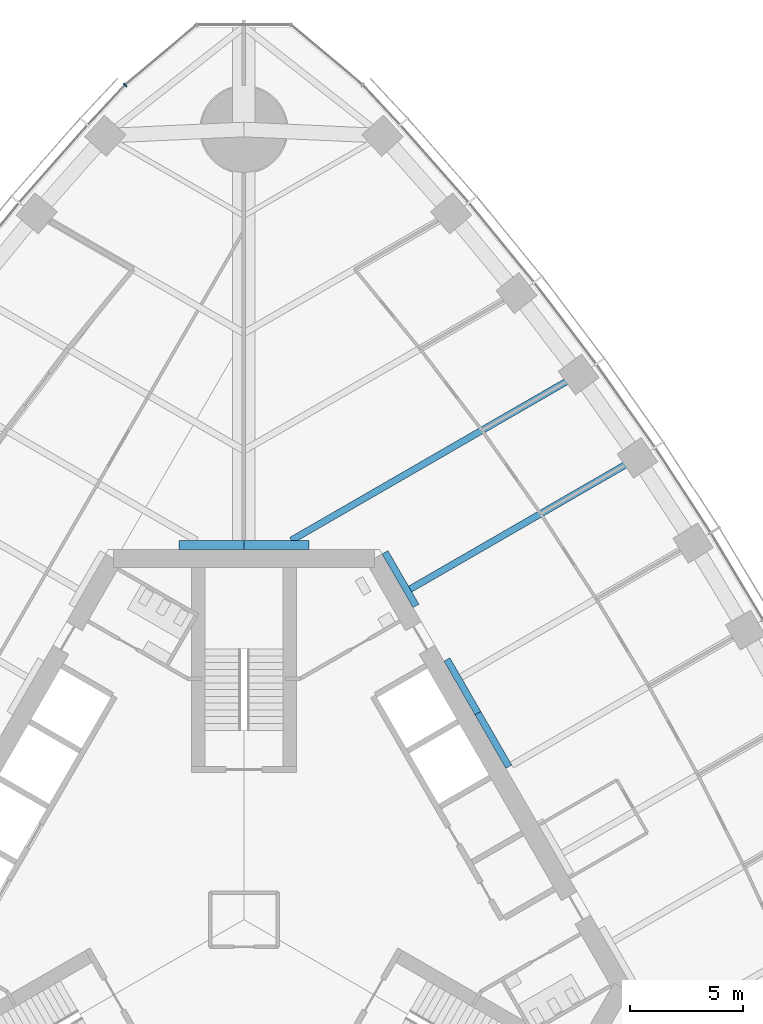
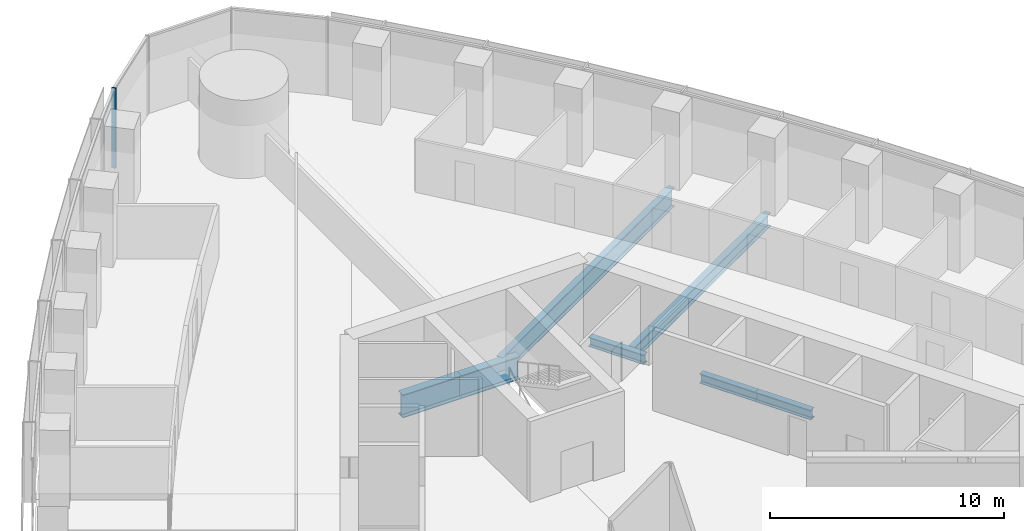
# One storey, part 5 of 19: 7 beams, 1 member, 1 element without a shape of its own.
"""IFC4 building model written with IfcOpenShell, lengths in metres."""

from ifc_helpers import new_model, si_unit, direction, frame, origin, origin_2d, place, context, subcontext, project, spatial, rectangle, i_section, extrude, material, material_profile, profile_set, type_object, element, aggregate, save


model = new_model("IFC4")

# Units and contexts
model_context = context("Model", 3, precision=1e-05, world=origin(), true_north=direction((0.0, 1.0)))
body_context = subcontext(model_context, "Body", "Model", "MODEL_VIEW")
ifc_project = project(units=[si_unit("LENGTHUNIT", "METRE"), si_unit("AREAUNIT", "SQUARE_METRE"), si_unit("VOLUMEUNIT", "CUBIC_METRE"), si_unit("PLANEANGLEUNIT", "RADIAN"), si_unit("MASSUNIT", "GRAM", prefix="KILO")], contexts=[model_context])

# Site, building, storey
site_placement = place(None, origin())
site = spatial("IfcSite", under=ifc_project, at=site_placement, CompositionType="ELEMENT")
building_placement = place(site_placement, origin())
building = spatial("IfcBuilding", under=site, at=building_placement, Name="Trefoil Bronze Tower", CompositionType="ELEMENT")
storey_placement = place(building_placement, frame((0.0, 0.0, 136.699951171875)))
storey = spatial("IfcBuildingStorey", under=building, at=storey_placement, Name="L31", CompositionType="ELEMENT", Elevation=136.699951171875)

# Curtain wall, member
ifc_material_1 = material(Name="Tinted solar-control glass", Category="glass")
curtain_wall_type = type_object("IfcCurtainWallType", Name="Bronze rounded corner curtain wall", PredefinedType="USERDEFINED", material=ifc_material_1)
curtain_wall_placement = place(storey_placement, origin())
curtain_wall = element("IfcCurtainWall", 1, at=curtain_wall_placement, inside=storey, type_object=curtain_wall_type, Name="CW-B L31 K2", ObjectType="CURTAIN WALL", PredefinedType="USERDEFINED")
ifc_material_2 = material(Name="Bronze-finish aluminium", Category="aluminium")
ifc_material_profile_1 = material_profile(ifc_material_2, rectangle(XDim=0.199951171875, YDim=0.06005859375, at=origin_2d()), Name="CW-B mullion")
ifc_profile_set_1 = profile_set([ifc_material_profile_1], Name="Bronze-finish aluminium")
member_type = type_object("IfcMemberType", Name="Bronze rounded corner curtain wall mullion", PredefinedType="MULLION", material=ifc_profile_set_1)
member_placement = place(storey_placement, frame((-5.260498046875, 36.975830078125, 0.0), z_axis=(0.0, 0.0, 1.0), x_axis=(0.642787609687, -0.766044443119, 0.0)))
member = element("IfcMember", 2, at=member_placement, type_object=member_type, Name="CW-B L31 K2 mullion 4", PredefinedType="MULLION", context=body_context, shape_type="SweptSolid", body=[
    extrude(rectangle(XDim=0.199951171875, YDim=0.06005859375, at=origin_2d()), origin(), (0.0, 0.0, 1.0), 4.179931640625),
])
aggregate(curtain_wall, [member])

# Beams
ifc_material_3 = material(Name="Steel C355", Category="steel")
ifc_material_profile_2 = material_profile(ifc_material_3, i_section(OverallWidth=0.300048828125, OverallDepth=0.5, WebThickness=0.014404296875, FlangeThickness=0.028076171875, FilletRadius=0.027099609375, at=origin_2d()), Name="HEB 500")
ifc_profile_set_2 = profile_set([ifc_material_profile_2], Name="Steel C355")
beam_type_1 = type_object("IfcBeamType", Name="Core seat beam HEB 500", PredefinedType="BEAM", material=ifc_profile_set_2)
for number, where, z_axis, x_axis, name in (
    (3, (11.734619140625, 6.77490234375, -0.449951171875), (-0.499969057507, 0.866043267704, 0.0), (-0.866043267704, -0.499969057507, 0.0), "Core seat beam F2/+0 L31"),
    (4, (10.363525390625, 9.14990234375, -0.449951171875), (-0.500035825175, 0.866004719122, 0.0), (-0.866004719122, -0.500035825175, 0.0), "Core seat beam F2/+1 L31"),
    (5, (7.62109375, 13.89990234375, -0.449951171875), (-0.500035825175, 0.866004719122, 0.0), (-0.866004719122, -0.500035825175, 0.0), "Core seat beam F2/+2 L31"),
):
    element("IfcBeam", number, at=place(storey_placement, frame(where, z_axis=z_axis, x_axis=x_axis)), inside=storey, type_object=beam_type_1, Name=name, PredefinedType="BEAM", context=body_context, shape_type="SweptSolid", body=[
        extrude(i_section(OverallWidth=0.300048828125, OverallDepth=0.5, WebThickness=0.014404296875, FlangeThickness=0.028076171875, FilletRadius=0.027099609375, at=origin_2d()), origin(), (0.0, 0.0, 1.0), 2.742431640625),
    ])
ifc_material_4 = material(Name="Steel C355", Category="steel")
ifc_material_profile_3 = material_profile(ifc_material_4, i_section(OverallWidth=0.39990234375, OverallDepth=1.199951171875, WebThickness=0.02001953125, FlangeThickness=0.0400390625, FilletRadius=0.010009765625, at=origin_2d()), Name="WPG 1200")
ifc_profile_set_3 = profile_set([ifc_material_profile_3], Name="Steel C355")
beam_type_2 = type_object("IfcBeamType", Name="Core seat beam WPG 1200", PredefinedType="BEAM", material=ifc_profile_set_3)
for number, where, z_axis, x_axis, name in (
    (6, (2.88671875, 16.60009765625, -0.800048828125), (-1.0, 0.0, 0.0), (0.0, -1.0, 0.0), "Core seat beam F2/+3 L31"),
    (7, (0.0, 16.60009765625, -0.800048828125), (-1.0, 0.0, 0.0), (0.0, -1.0, 0.0), "Core seat beam F3/-3 L31"),
):
    element("IfcBeam", number, at=place(storey_placement, frame(where, z_axis=z_axis, x_axis=x_axis)), inside=storey, type_object=beam_type_2, Name=name, PredefinedType="BEAM", context=body_context, shape_type="SweptSolid", body=[
        extrude(i_section(OverallWidth=0.39990234375, OverallDepth=1.199951171875, WebThickness=0.02001953125, FlangeThickness=0.0400390625, FilletRadius=0.010009765625, at=origin_2d()), origin(), (0.0, 0.0, 1.0), 2.88671875),
    ])
ifc_material_5 = material(Name="Steel C355", Category="steel")
ifc_material_profile_4 = material_profile(ifc_material_5, i_section(OverallWidth=0.300048828125, OverallDepth=1.0, WebThickness=0.01904296875, FlangeThickness=0.035888671875, FilletRadius=0.030029296875, at=origin_2d()), Name="HEB 1000")
ifc_profile_set_4 = profile_set([ifc_material_profile_4], Name="Steel C355")
beam_type_3 = type_object("IfcBeamType", Name="Floor beam HEB 1000", PredefinedType="BEAM", material=ifc_profile_set_4)
beam_1_placement = place(storey_placement, frame((14.825439453125, 24.14794921875, -0.699951171875), z_axis=(-0.866027342682, -0.499996641717, 0.0), x_axis=(0.499996641717, -0.866027342682, 0.0)))
element("IfcBeam", 8, at=beam_1_placement, inside=storey, type_object=beam_type_3, Name="Floor beam F2/+3 L31", PredefinedType="BEAM", context=body_context, shape_type="SweptSolid", body=[
    extrude(i_section(OverallWidth=0.300048828125, OverallDepth=1.0, WebThickness=0.01904296875, FlangeThickness=0.035888671875, FilletRadius=0.030029296875, at=origin_2d()), origin(), (0.0, 0.0, 1.0), 14.69580078125),
])
ifc_material_6 = material(Name="Steel C355", Category="steel")
ifc_material_profile_5 = material_profile(ifc_material_6, i_section(OverallWidth=0.300048828125, OverallDepth=0.699951171875, WebThickness=0.01708984375, FlangeThickness=0.031982421875, FilletRadius=0.027099609375, at=origin_2d()), Name="HEB 700")
ifc_profile_set_5 = profile_set([ifc_material_profile_5], Name="Steel C355")
beam_type_4 = type_object("IfcBeamType", Name="Floor beam HEB 700", PredefinedType="BEAM", material=ifc_profile_set_5)
beam_2_placement = place(storey_placement, frame((17.43017578125, 20.45556640625, -0.550048828125), z_axis=(-0.866030626868, -0.499990953245, 0.0), x_axis=(0.499990953245, -0.866030626868, 0.0)))
element("IfcBeam", 9, at=beam_2_placement, inside=storey, type_object=beam_type_4, Name="Floor beam F2/+2 L31", PredefinedType="BEAM", context=body_context, shape_type="SweptSolid", body=[
    extrude(i_section(OverallWidth=0.300048828125, OverallDepth=0.699951171875, WebThickness=0.01708984375, FlangeThickness=0.031982421875, FilletRadius=0.027099609375, at=origin_2d()), origin(), (0.0, 0.0, 1.0), 11.622802734375),
])

save(model, "model.ifc")
